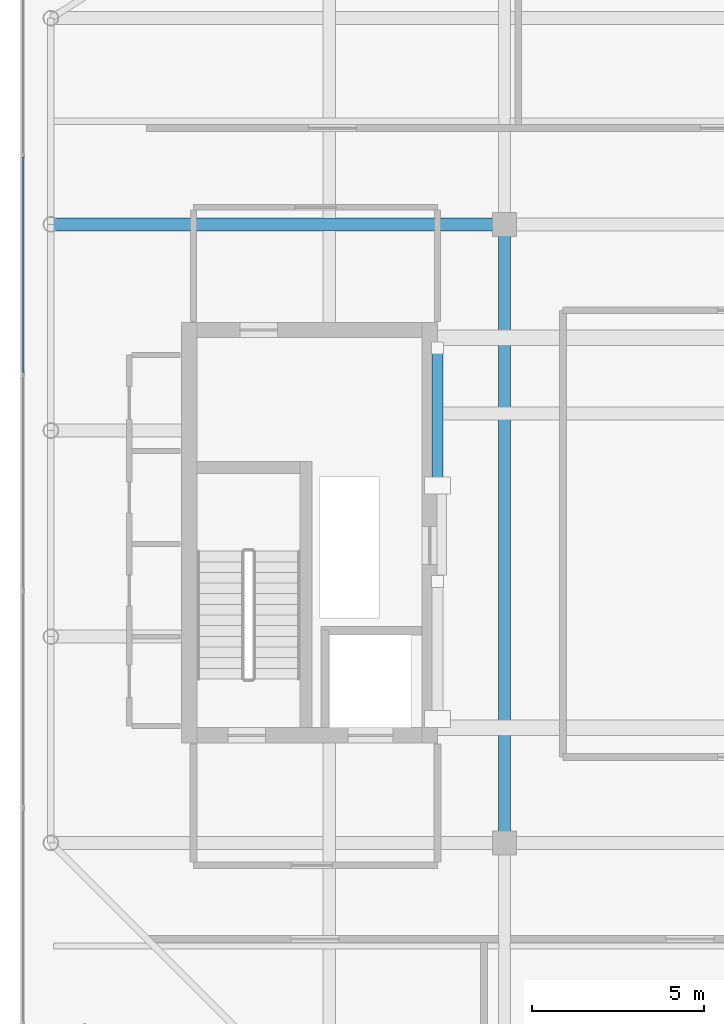
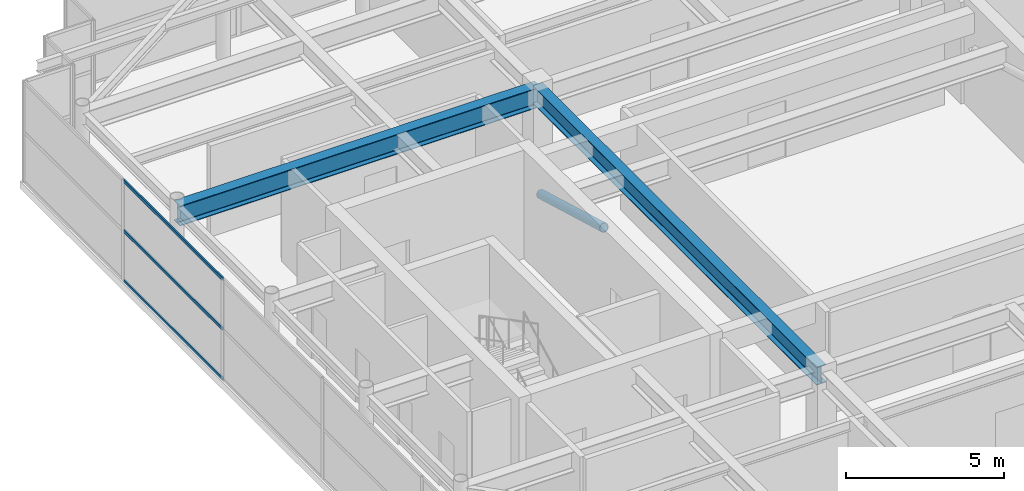
# One storey, part 12 of 33: 4 members, 2 beams, 1 element without a shape of its own.
"""IFC4 building model written with IfcOpenShell, lengths in metres."""

from ifc_helpers import new_model, si_unit, direction, frame, origin, origin_2d, place, context, subcontext, project, spatial, hollow_rectangle, hollow_circle, i_section, extrude, source, transform, mapped, material, layer, layer_set, material_profile, profile_set, type_object, element, aggregate, save


model = new_model("IFC4")

# Units and contexts
model_context = context("Model", 3, precision=1e-05, world=origin(), true_north=direction((0.0, 1.0)))
body_context = subcontext(model_context, "Body", "Model", "MODEL_VIEW")
ifc_project = project(units=[si_unit("LENGTHUNIT", "METRE"), si_unit("AREAUNIT", "SQUARE_METRE"), si_unit("VOLUMEUNIT", "CUBIC_METRE"), si_unit("PLANEANGLEUNIT", "RADIAN"), si_unit("MASSUNIT", "GRAM", prefix="KILO")], contexts=[model_context])

# Site, building, storey
site_placement = place(None, origin())
site = spatial("IfcSite", under=ifc_project, at=site_placement, CompositionType="ELEMENT")
building_placement = place(site_placement, origin())
building = spatial("IfcBuilding", under=site, at=building_placement, Name="Khoralis Quay Care Tower", CompositionType="ELEMENT")
storey_placement = place(building_placement, frame((0.0, 0.0, 302.10009765625)))
storey = spatial("IfcBuildingStorey", under=building, at=storey_placement, Name="L79", CompositionType="ELEMENT", Elevation=302.10009765625)

# Beams
ifc_material_1 = material(Name="Steel S355", Category="steel")
ifc_material_profile_1 = material_profile(ifc_material_1, i_section(OverallWidth=0.35498046875, OverallDepth=0.695068359375, WebThickness=0.015380859375, FlangeThickness=0.02490234375, FilletRadius=0.02001953125, at=origin_2d()), Name="Steel S355")
ifc_profile_set_1 = profile_set([ifc_material_profile_1], Name="Steel S355")
beam_type_1 = type_object("IfcBeamType", Name="BM-W690X217", PredefinedType="BEAM", material=ifc_profile_set_1)
shared_shape_1 = source(origin(), body_context, "Body", "SweptSolid", [
    extrude(i_section(OverallWidth=0.35498046875, OverallDepth=0.695068359375, WebThickness=0.015380859375, FlangeThickness=0.02490234375, FilletRadius=0.02001953125, at=origin_2d()), origin(), (0.0, 0.0, 1.0), 18.0),
])
beam_1_placement = place(storey_placement, frame((17.10009765625, 12.0, 3.572509765625), z_axis=(0.0, 1.0, 0.0), x_axis=(-1.0, 0.0, 0.0)))
element("IfcBeam", 1, at=beam_1_placement, inside=storey, type_object=beam_type_1, Name="BM-TGSW-L79", PredefinedType="BEAM", context=body_context, shape_type="MappedRepresentation", body=[
    mapped(shared_shape_1, transform((0.0, 0.0, 0.0), scale=1.0)),
])
ifc_material_profile_2 = material_profile(ifc_material_1, i_section(OverallWidth=0.381103515625, OverallDepth=0.77294921875, WebThickness=0.0166015625, FlangeThickness=0.027587890625, FilletRadius=0.02197265625, at=origin_2d()), Name="Steel S355")
ifc_profile_set_2 = profile_set([ifc_material_profile_2], Name="Steel S355")
beam_type_2 = type_object("IfcBeamType", Name="BM-W760X257", PredefinedType="BEAM", material=ifc_profile_set_2)
shared_shape_2 = source(origin(), body_context, "Body", "SweptSolid", [
    extrude(i_section(OverallWidth=0.381103515625, OverallDepth=0.77294921875, WebThickness=0.0166015625, FlangeThickness=0.027587890625, FilletRadius=0.02197265625, at=origin_2d()), origin(), (0.0, 0.0, 1.0), 13.2001953125),
])
beam_2_placement = place(storey_placement, frame((3.89990234375, 30.0, 3.533447265625), z_axis=(1.0, 0.0, 0.0), x_axis=(0.0, 1.0, 0.0)))
element("IfcBeam", 2, at=beam_2_placement, inside=storey, type_object=beam_type_2, Name="BM-TGXW-L79-300", PredefinedType="BEAM", context=body_context, shape_type="MappedRepresentation", body=[
    mapped(shared_shape_2, transform((0.0, 0.0, 0.0), scale=1.0)),
])

# Member
ifc_material_profile_3 = material_profile(ifc_material_1, hollow_circle(Radius=0.161865234375, WallThickness=0.01611328125, at=origin_2d()), Name="Steel S355")
ifc_profile_set_3 = profile_set([ifc_material_profile_3], Name="Steel S355")
member_type_1 = type_object("IfcMemberType", Name="ST-CHS323X16", PredefinedType="STRUT", material=ifc_profile_set_3)
shared_shape_3 = source(origin(), body_context, "Body", "SweptSolid", [
    extrude(hollow_circle(Radius=0.161865234375, WallThickness=0.01611328125, at=origin_2d()), origin(), (0.0, 0.0, 1.0), 4.156494140625),
])
member_1_placement = place(storey_placement, frame((15.14794921875, 22.39990234375, 3.64990234375), z_axis=(0.0, 0.962344148942, -0.2718340284), x_axis=(-1.0, 0.0, 0.0)))
element("IfcMember", 3, at=member_1_placement, inside=storey, type_object=member_type_1, Name="L79 Lantern Diagrid Strut 2", PredefinedType="STRUT", context=body_context, shape_type="MappedRepresentation", body=[
    mapped(shared_shape_3, transform((0.0, 0.0, 0.0), scale=1.0)),
])

# Curtain wall, members
ifc_material_2 = material(Name="Pale anodised aluminium", Category="aluminium")
ifc_layer = layer(ifc_material_2, 0.199951171875)
ifc_layer_set = layer_set([ifc_layer], Name="Pale anodised aluminium")
curtain_wall_type = type_object("IfcCurtainWallType", Name="CW-SYS-LANTERN", PredefinedType="NOTDEFINED", material=ifc_layer_set)
curtain_wall_placement = place(storey_placement, origin())
curtain_wall = element("IfcCurtainWall", 4, at=curtain_wall_placement, inside=storey, type_object=curtain_wall_type, Name="L79 Unitised Curtain Wall CW-LN-L79-16", PredefinedType="NOTDEFINED")
ifc_material_profile_4 = material_profile(ifc_material_2, hollow_rectangle(XDim=0.054931640625, YDim=0.1201171875, WallThickness=0.00390625, at=origin_2d()), Name="Pale anodised aluminium")
ifc_profile_set_4 = profile_set([ifc_material_profile_4], Name="Pale anodised aluminium")
member_type_2 = type_object("IfcMemberType", Name="CW-TRN-120", PredefinedType="USERDEFINED", material=ifc_profile_set_4)
shared_shape_4 = source(origin(), body_context, "Body", "SweptSolid", [
    extrude(hollow_rectangle(XDim=0.054931640625, YDim=0.1201171875, WallThickness=0.00390625, at=origin_2d()), origin(), (0.0, 0.0, 1.0), 6.26416015625),
])
member_2_placement = place(storey_placement, frame((3.090087890625, 31.9560546875, 0.02978515625), z_axis=(0.0, -1.0, 0.0), x_axis=(1.0, 0.0, 0.0)))
member_2 = element("IfcMember", 5, at=member_2_placement, type_object=member_type_2, Name="CW5 transom 2.1", ObjectType="TRANSOM", PredefinedType="USERDEFINED", context=body_context, shape_type="MappedRepresentation", body=[
    mapped(shared_shape_4, transform((0.0, 0.0, 0.0), scale=1.0)),
])
member_3_placement = place(storey_placement, frame((3.090087890625, 31.9560546875, 1.9599609375), z_axis=(0.0, -1.0, 0.0), x_axis=(1.0, 0.0, 0.0)))
member_3 = element("IfcMember", 6, at=member_3_placement, type_object=member_type_2, Name="CW5 transom 2.2", ObjectType="TRANSOM", PredefinedType="USERDEFINED", context=body_context, shape_type="MappedRepresentation", body=[
    mapped(shared_shape_4, transform((0.0, 0.0, 0.0), scale=1.0)),
])
member_4_placement = place(storey_placement, frame((3.090087890625, 31.9560546875, 3.889892578125), z_axis=(0.0, -1.0, 0.0), x_axis=(1.0, 0.0, 0.0)))
member_4 = element("IfcMember", 7, at=member_4_placement, type_object=member_type_2, Name="CW5 transom 2.3", ObjectType="TRANSOM", PredefinedType="USERDEFINED", context=body_context, shape_type="MappedRepresentation", body=[
    mapped(shared_shape_4, transform((0.0, 0.0, 0.0), scale=1.0)),
])
aggregate(curtain_wall, [member_2, member_3, member_4])

save(model, "model.ifc")
